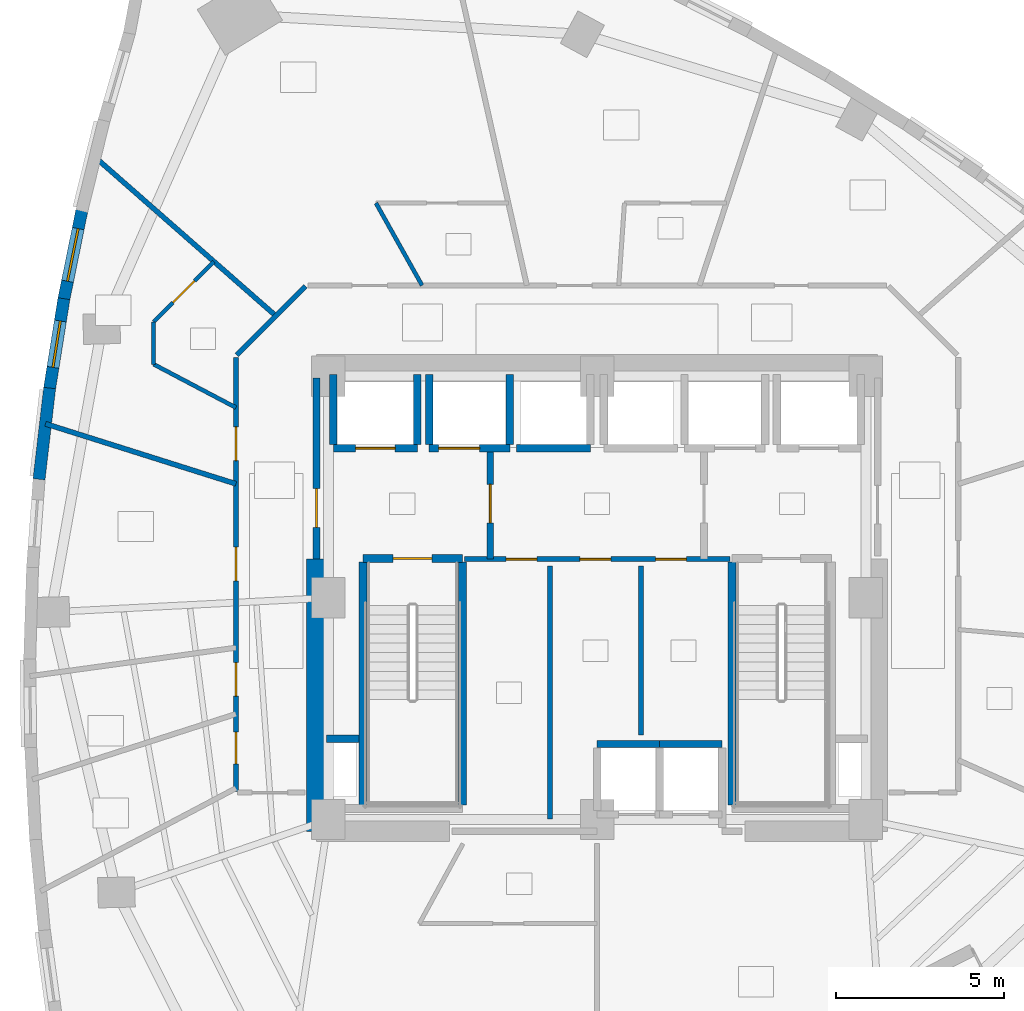
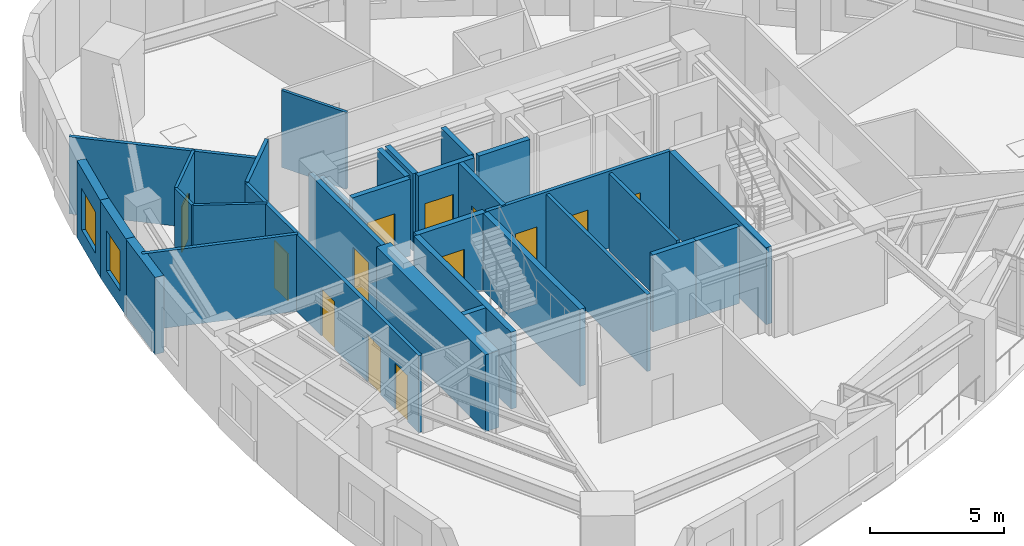
# One storey, part 6 of 11: 31 walls, 13 doors, 2 windows, 15 openings.
"""IFC4 building model written with IfcOpenShell, lengths in metres."""

from ifc_helpers import new_model, si_unit, direction, frame, frame_2d, origin, place, context, subcontext, project, spatial, rectangle, extrude, material, layer, layer_set, type_object, element, fill, save


model = new_model("IFC4")

# Units and contexts
model_context = context("Model", 3, precision=1e-05, world=origin(), true_north=direction((0.0, 1.0)))
body_context = subcontext(model_context, "Body", "Model", "MODEL_VIEW")
ifc_project = project(units=[si_unit("LENGTHUNIT", "METRE"), si_unit("AREAUNIT", "SQUARE_METRE"), si_unit("VOLUMEUNIT", "CUBIC_METRE"), si_unit("PLANEANGLEUNIT", "RADIAN"), si_unit("MASSUNIT", "GRAM", prefix="KILO")], contexts=[model_context])

# Site, building, storey
site_placement = place(None, origin())
site = spatial("IfcSite", under=ifc_project, at=site_placement, CompositionType="ELEMENT")
building_placement = place(site_placement, origin())
building = spatial("IfcBuilding", under=site, at=building_placement, Name="Ndelora Gate Hotel", CompositionType="ELEMENT")
storey_placement = place(building_placement, frame((0.0, 0.0, 116.0)))
storey = spatial("IfcBuildingStorey", under=building, at=storey_placement, Name="L28", CompositionType="ELEMENT", Elevation=116.0)

# Wall, opening, window
ifc_material_1 = material(Name="Clay Brick Masonry", Category="masonry")
ifc_layer_1 = layer(ifc_material_1, 0.360107421875)
ifc_layer_set_1 = layer_set([ifc_layer_1], Name="Clay Brick Masonry")
wall_type_1 = type_object("IfcWallType", Name="WL-BRICK-360", PredefinedType="SOLIDWALL", material=ifc_layer_set_1)
wall_1_placement = place(storey_placement, frame((-15.879638671875, 8.855224609375, 0.0), z_axis=(0.0, 0.0, 1.0), x_axis=(0.198770408376, 0.980046082975, 0.0)))
wall_1 = element("IfcWall", 1, at=wall_1_placement, inside=storey, type_object=wall_type_1, Name="L28 Tower Brick Pier-and-Spandrel Wall TWR-11", PredefinedType="SOLIDWALL", context=body_context, shape_type="SweptSolid", body=[
    extrude(rectangle(XDim=2.758544921875, YDim=0.360107421875, at=frame_2d((1.37939453125, 0.0))), origin(), (0.0, 0.0, 1.0), 3.5),
])
opening_1_placement = place(wall_1_placement, frame((0.579345703125, 0.0, 0.719970703125)))
opening_1 = element("IfcOpeningElement", 2, at=opening_1_placement, cuts=wall_1, Name="Opening W01", PredefinedType="OPENING", context=body_context, shape_type="SweptSolid", body=[
    extrude(rectangle(XDim=1.60009765625, YDim=1.8798828125, at=frame_2d((0.800048828125, 0.93994140625))), frame((0.0, 0.18994140625, 0.0), z_axis=(0.0, -1.0, 0.0), x_axis=(1.0, 0.0, 0.0)), (0.0, 0.0, 1.0), 0.380126953125),
])
ifc_material_2 = material(Name="Insulated Low-E Double Glazing in Bronze Aluminium Frame", Category="aluminium")
window_type_1 = type_object("IfcWindowType", Name="WN-DEEP-1600", PartitioningType="SINGLE_PANEL", PredefinedType="WINDOW", material=ifc_material_2)
window_1_placement = place(opening_1_placement, origin())
window_1 = element("IfcWindow", 3, at=window_1_placement, inside=storey, type_object=window_type_1, Name="L28 Deep-Set Brick-Pier Window W01", OverallHeight=1.8798828125, OverallWidth=1.60009765625, PartitioningType="SINGLE_PANEL", PredefinedType="WINDOW", context=body_context, shape_type="SweptSolid", body=[
    extrude(rectangle(XDim=1.60009765625, YDim=1.8798828125, at=frame_2d((0.800048828125, 0.93994140625))), frame((0.0, 0.030029296875, 0.0), z_axis=(0.0, -1.0, 0.0), x_axis=(1.0, 0.0, 0.0)), (0.0, 0.0, 1.0), 0.06005859375),
])
fill(opening_1, window_1)

wall_2_placement = place(storey_placement, frame((-16.302978515625, 6.19482421875, 0.0), z_axis=(0.0, 0.0, 1.0), x_axis=(0.157483842532, 0.987521563988, 0.0)))
wall_2 = element("IfcWall", 4, at=wall_2_placement, inside=storey, type_object=wall_type_1, Name="L28 Tower Brick Pier-and-Spandrel Wall TWR-12", PredefinedType="SOLIDWALL", context=body_context, shape_type="SweptSolid", body=[
    extrude(rectangle(XDim=2.743896484375, YDim=0.360107421875, at=frame_2d((1.3720703125, 0.0))), origin(), (0.0, 0.0, 1.0), 3.5),
])
opening_2_placement = place(wall_2_placement, frame((0.672119140625, 0.0, 0.719970703125)))
opening_2 = element("IfcOpeningElement", 5, at=opening_2_placement, cuts=wall_2, Name="Opening W02", PredefinedType="OPENING", context=body_context, shape_type="SweptSolid", body=[
    extrude(rectangle(XDim=1.39990234375, YDim=1.840087890625, at=frame_2d((0.699951171875, 0.919921875))), frame((0.0, 0.18994140625, 0.0), z_axis=(0.0, -1.0, 0.0), x_axis=(1.0, 0.0, 0.0)), (0.0, 0.0, 1.0), 0.380126953125),
])
window_type_2 = type_object("IfcWindowType", Name="WN-DEEP-1400", PartitioningType="SINGLE_PANEL", PredefinedType="WINDOW", material=ifc_material_2)
window_2_placement = place(opening_2_placement, origin())
window_2 = element("IfcWindow", 6, at=window_2_placement, inside=storey, type_object=window_type_2, Name="L28 Deep-Set Brick-Pier Window W02", OverallHeight=1.840087890625, OverallWidth=1.39990234375, PartitioningType="SINGLE_PANEL", PredefinedType="WINDOW", context=body_context, shape_type="SweptSolid", body=[
    extrude(rectangle(XDim=1.39990234375, YDim=1.840087890625, at=frame_2d((0.699951171875, 0.919921875))), frame((0.0, 0.030029296875, 0.0), z_axis=(0.0, -1.0, 0.0), x_axis=(1.0, 0.0, 0.0)), (0.0, 0.0, 1.0), 0.06005859375),
])
fill(opening_2, window_2)

# Walls
wall_3_placement = place(storey_placement, frame((-16.61279296875, 3.5283203125, 0.0), z_axis=(0.0, 0.0, 1.0), x_axis=(0.115711868465, 0.993282821505, 0.0)))
element("IfcWall", 7, at=wall_3_placement, inside=storey, type_object=wall_type_1, Name="L28 Tower Brick Pier-and-Spandrel Wall TWR-13", PredefinedType="SOLIDWALL", context=body_context, shape_type="SweptSolid", body=[
    extrude(rectangle(XDim=2.734375, YDim=0.360107421875, at=frame_2d((1.3671875, 0.0))), origin(), (0.0, 0.0, 1.0), 3.5),
])
ifc_material_3 = material(Name="Concrete C60/75", Category="concrete")
ifc_layer_2 = layer(ifc_material_3, 0.60009765625)
ifc_layer_set_2 = layer_set([ifc_layer_2], Name="Concrete C60/75")
wall_type_2 = type_object("IfcWallType", Name="WL-CORE-600", PredefinedType="SHEAR", material=ifc_layer_set_2)
wall_4_placement = place(storey_placement, frame((-8.35009765625, -6.949951171875, 0.0), z_axis=(0.0, 0.0, 1.0), x_axis=(0.0, 1.0, 0.0)))
element("IfcWall", 8, at=wall_4_placement, inside=storey, type_object=wall_type_2, Name="L28 Core Shear Wall W", PredefinedType="SHEAR", context=body_context, shape_type="SweptSolid", body=[
    extrude(rectangle(XDim=8.099853515625, YDim=0.60009765625, at=frame_2d((4.0498046875, 0.0))), origin(), (0.0, 0.0, 1.0), 3.5),
])

# Wall, opening, door
ifc_material_4 = material(Name="Concrete C40/50", Category="concrete")
ifc_layer_3 = layer(ifc_material_4, 0.199951171875)
ifc_layer_set_3 = layer_set([ifc_layer_3], Name="Concrete C40/50")
wall_type_3 = type_object("IfcWallType", Name="WL-FIRE-200", PredefinedType="PARTITIONING", material=ifc_layer_set_3)
wall_5_placement = place(storey_placement, frame((-3.179931640625, 1.14990234375, 0.0), z_axis=(0.0, 0.0, 1.0), x_axis=(0.0, 1.0, 0.0)))
wall_5 = element("IfcWall", 9, at=wall_5_placement, inside=storey, type_object=wall_type_3, Name="L28 Interior Wall IW-2", PredefinedType="PARTITIONING", context=body_context, shape_type="SweptSolid", body=[
    extrude(rectangle(XDim=3.300048828125, YDim=0.199951171875, at=frame_2d((1.64990234375, 0.0))), origin(), (0.0, 0.0, 1.0), 3.5),
])
opening_3_placement = place(wall_5_placement, frame((1.080078125, 0.0, 0.0)))
opening_3 = element("IfcOpeningElement", 10, at=opening_3_placement, cuts=wall_5, Name="Opening FD1", PredefinedType="OPENING", context=body_context, shape_type="SweptSolid", body=[
    extrude(rectangle(XDim=1.14990234375, YDim=2.14990234375, at=frame_2d((0.574951171875, 1.074951171875))), frame((0.0, 0.10986328125, 0.0), z_axis=(0.0, -1.0, 0.0), x_axis=(1.0, 0.0, 0.0)), (0.0, 0.0, 1.0), 0.219970703125),
])
ifc_material_5 = material(Name="Fire-Rated Timber-Veneer Steel Core", Category="steel")
door_type_1 = type_object("IfcDoorType", Name="DR-FD60", OperationType="SINGLE_SWING_LEFT", PredefinedType="DOOR", material=ifc_material_5)
door_1_placement = place(opening_3_placement, origin())
door_1 = element("IfcDoor", 11, at=door_1_placement, inside=storey, type_object=door_type_1, Name="L28 Firefighting Lobby West Door", OperationType="SINGLE_SWING_RIGHT", OverallHeight=2.14990234375, OverallWidth=1.14990234375, PredefinedType="DOOR", context=body_context, shape_type="SweptSolid", body=[
    extrude(rectangle(XDim=1.14990234375, YDim=2.14990234375, at=frame_2d((0.574951171875, 1.074951171875))), frame((0.0, 0.02490234375, 0.0), z_axis=(0.0, -1.0, 0.0), x_axis=(1.0, 0.0, 0.0)), (0.0, 0.0, 1.0), 0.050048828125),
])
fill(opening_3, door_1)

wall_6_placement = place(storey_placement, frame((-8.35009765625, 1.14990234375, 0.0), z_axis=(0.0, 0.0, 1.0), x_axis=(0.0, 1.0, 0.0)))
wall_6 = element("IfcWall", 12, at=wall_6_placement, inside=storey, type_object=wall_type_3, Name="L28 Interior Wall IW-2", PredefinedType="PARTITIONING", context=body_context, shape_type="SweptSolid", body=[
    extrude(rectangle(XDim=5.400146484375, YDim=0.199951171875, at=frame_2d((2.7001953125, 0.0))), origin(), (0.0, 0.0, 1.0), 3.5),
])
opening_4_placement = place(wall_6_placement, frame((0.949951171875, 0.0, 0.0)))
opening_4 = element("IfcOpeningElement", 13, at=opening_4_placement, cuts=wall_6, Name="Opening FD1", PredefinedType="OPENING", context=body_context, shape_type="SweptSolid", body=[
    extrude(rectangle(XDim=1.14990234375, YDim=2.14990234375, at=frame_2d((0.574951171875, 1.074951171875))), frame((0.0, 0.10986328125, 0.0), z_axis=(0.0, -1.0, 0.0), x_axis=(1.0, 0.0, 0.0)), (0.0, 0.0, 1.0), 0.219970703125),
])
door_2_placement = place(opening_4_placement, origin())
door_2 = element("IfcDoor", 14, at=door_2_placement, inside=storey, type_object=door_type_1, Name="L28 Firefighting Lobby West Corridor Door", OperationType="SINGLE_SWING_LEFT", OverallHeight=2.14990234375, OverallWidth=1.14990234375, PredefinedType="DOOR", context=body_context, shape_type="SweptSolid", body=[
    extrude(rectangle(XDim=1.14990234375, YDim=2.14990234375, at=frame_2d((0.574951171875, 1.074951171875))), frame((0.0, 0.02490234375, 0.0), z_axis=(0.0, -1.0, 0.0), x_axis=(1.0, 0.0, 0.0)), (0.0, 0.0, 1.0), 0.050048828125),
])
fill(opening_4, door_2)

# Wall, openings, doors
ifc_material_6 = material(Name="Fire-Rated Gypsum Stud Partition", Category="gypsum")
ifc_layer_4 = layer(ifc_material_6, 0.14990234375)
ifc_layer_set_4 = layer_set([ifc_layer_4], Name="Fire-Rated Gypsum Stud Partition")
wall_type_4 = type_object("IfcWallType", Name="WL-PART-150", PredefinedType="PARTITIONING", material=ifc_layer_set_4)
wall_7_placement = place(storey_placement, frame((3.949951171875, 1.14990234375, 0.0), z_axis=(0.0, 0.0, 1.0), x_axis=(-1.0, 0.0, 0.0)))
wall_7 = element("IfcWall", 15, at=wall_7_placement, inside=storey, type_object=wall_type_4, Name="L28 Interior Wall IW-5", PredefinedType="PARTITIONING", context=body_context, shape_type="SweptSolid", body=[
    extrude(rectangle(XDim=7.89990234375, YDim=0.14990234375, at=frame_2d((3.949951171875, 0.0))), origin(), (0.0, 0.0, 1.0), 3.5),
])
opening_5_placement = place(wall_7_placement, frame((5.739990234375, 0.0, 0.0)))
opening_5 = element("IfcOpeningElement", 16, at=opening_5_placement, cuts=wall_7, Name="Opening D04", PredefinedType="OPENING", context=body_context, shape_type="SweptSolid", body=[
    extrude(rectangle(XDim=0.919921875, YDim=2.050048828125, at=frame_2d((0.4599609375, 1.02490234375))), frame((0.0, 0.0849609375, 0.0), z_axis=(0.0, -1.0, 0.0), x_axis=(1.0, 0.0, 0.0)), (0.0, 0.0, 1.0), 0.169921875),
])
opening_6_placement = place(wall_7_placement, frame((3.5400390625, 0.0, 0.0)))
opening_6 = element("IfcOpeningElement", 17, at=opening_6_placement, cuts=wall_7, Name="Opening D04", PredefinedType="OPENING", context=body_context, shape_type="SweptSolid", body=[
    extrude(rectangle(XDim=0.919921875, YDim=2.050048828125, at=frame_2d((0.4599609375, 1.02490234375))), frame((0.0, 0.0849609375, 0.0), z_axis=(0.0, -1.0, 0.0), x_axis=(1.0, 0.0, 0.0)), (0.0, 0.0, 1.0), 0.169921875),
])
opening_7_placement = place(wall_7_placement, frame((1.2900390625, 0.0, 0.0)))
opening_7 = element("IfcOpeningElement", 18, at=opening_7_placement, cuts=wall_7, Name="Opening D04", PredefinedType="OPENING", context=body_context, shape_type="SweptSolid", body=[
    extrude(rectangle(XDim=0.919921875, YDim=2.050048828125, at=frame_2d((0.4599609375, 1.02490234375))), frame((0.0, 0.0849609375, 0.0), z_axis=(0.0, -1.0, 0.0), x_axis=(1.0, 0.0, 0.0)), (0.0, 0.0, 1.0), 0.169921875),
])
ifc_material_7 = material(Name="Painted Steel Core Service Door", Category="steel")
door_type_2 = type_object("IfcDoorType", Name="DR-SER-920", OperationType="SINGLE_SWING_LEFT", PredefinedType="DOOR", material=ifc_material_7)
door_3_placement = place(opening_5_placement, origin())
door_3 = element("IfcDoor", 19, at=door_3_placement, inside=storey, type_object=door_type_2, Name="L28 Core Cleaners Store Door", OperationType="SINGLE_SWING_LEFT", OverallHeight=2.050048828125, OverallWidth=0.919921875, PredefinedType="DOOR", context=body_context, shape_type="SweptSolid", body=[
    extrude(rectangle(XDim=0.919921875, YDim=2.050048828125, at=frame_2d((0.4599609375, 1.02490234375))), frame((0.0, 0.02490234375, 0.0), z_axis=(0.0, -1.0, 0.0), x_axis=(1.0, 0.0, 0.0)), (0.0, 0.0, 1.0), 0.050048828125),
])
fill(opening_5, door_3)
door_4_placement = place(opening_6_placement, origin())
door_4 = element("IfcDoor", 20, at=door_4_placement, inside=storey, type_object=door_type_2, Name="L28 Core Telecoms Equipment Room Door", OperationType="SINGLE_SWING_RIGHT", OverallHeight=2.050048828125, OverallWidth=0.919921875, PredefinedType="DOOR", context=body_context, shape_type="SweptSolid", body=[
    extrude(rectangle(XDim=0.919921875, YDim=2.050048828125, at=frame_2d((0.4599609375, 1.02490234375))), frame((0.0, 0.02490234375, 0.0), z_axis=(0.0, -1.0, 0.0), x_axis=(1.0, 0.0, 0.0)), (0.0, 0.0, 1.0), 0.050048828125),
])
fill(opening_6, door_4)
door_5_placement = place(opening_7_placement, origin())
door_5 = element("IfcDoor", 21, at=door_5_placement, inside=storey, type_object=door_type_2, Name="L28 Core Electrical Metering Room Door", OperationType="SINGLE_SWING_LEFT", OverallHeight=2.050048828125, OverallWidth=0.919921875, PredefinedType="DOOR", context=body_context, shape_type="SweptSolid", body=[
    extrude(rectangle(XDim=0.919921875, YDim=2.050048828125, at=frame_2d((0.4599609375, 1.02490234375))), frame((0.0, 0.02490234375, 0.0), z_axis=(0.0, -1.0, 0.0), x_axis=(1.0, 0.0, 0.0)), (0.0, 0.0, 1.0), 0.050048828125),
])
fill(opening_7, door_5)

# Walls
wall_8_placement = place(storey_placement, frame((-1.39990234375, -6.580078125, 0.0), z_axis=(0.0, 0.0, 1.0), x_axis=(0.0, 1.0, 0.0)))
element("IfcWall", 22, at=wall_8_placement, inside=storey, type_object=wall_type_4, Name="L28 Interior Wall IW-5", PredefinedType="PARTITIONING", context=body_context, shape_type="SweptSolid", body=[
    extrude(rectangle(XDim=7.530029296875, YDim=0.14990234375, at=frame_2d((3.76513671875, 0.0))), origin(), (0.0, 0.0, 1.0), 3.5),
])
wall_9_placement = place(storey_placement, frame((1.300048828125, -4.080078125, 0.0), z_axis=(0.0, 0.0, 1.0), x_axis=(0.0, 1.0, 0.0)))
element("IfcWall", 23, at=wall_9_placement, inside=storey, type_object=wall_type_4, Name="L28 Interior Wall IW-5", PredefinedType="PARTITIONING", context=body_context, shape_type="SweptSolid", body=[
    extrude(rectangle(XDim=5.030029296875, YDim=0.14990234375, at=frame_2d((2.51513671875, 0.0))), origin(), (0.0, 0.0, 1.0), 3.5),
])
wall_10_placement = place(storey_placement, frame((-10.7216796875, 7.228271484375, 0.0), z_axis=(0.0, 0.0, 1.0), x_axis=(0.707106781187, 0.707106781187, 0.0)))
element("IfcWall", 24, at=wall_10_placement, inside=storey, type_object=wall_type_4, Name="L28 Interior Wall IW-5", PredefinedType="PARTITIONING", context=body_context, shape_type="SweptSolid", body=[
    extrude(rectangle(XDim=2.889892578125, YDim=0.14990234375, at=frame_2d((1.44482421875, 0.0))), origin(), (0.0, 0.0, 1.0), 3.5),
])

# Wall, openings, doors
wall_11_placement = place(storey_placement, frame((-10.75, -5.760009765625, 0.0), z_axis=(0.0, 0.0, 1.0), x_axis=(0.0, 1.0, 0.0)))
wall_11 = element("IfcWall", 25, at=wall_11_placement, inside=storey, type_object=wall_type_4, Name="L28 Interior Wall IW-5", PredefinedType="PARTITIONING", context=body_context, shape_type="SweptSolid", body=[
    extrude(rectangle(XDim=12.919921875, YDim=0.14990234375, at=frame_2d((6.4599609375, 0.0))), origin(), (0.0, 0.0, 1.0), 3.5),
])
opening_8_placement = place(wall_11_placement, frame((2.834716796875, 0.0, 0.0)))
opening_8 = element("IfcOpeningElement", 26, at=opening_8_placement, cuts=wall_11, Name="Opening D01", PredefinedType="OPENING", context=body_context, shape_type="SweptSolid", body=[
    extrude(rectangle(XDim=1.0, YDim=2.14990234375, at=frame_2d((0.5, 1.074951171875))), frame((0.0, 0.0849609375, 0.0), z_axis=(0.0, -1.0, 0.0), x_axis=(1.0, 0.0, 0.0)), (0.0, 0.0, 1.0), 0.169921875),
])
opening_9_placement = place(wall_11_placement, frame((0.81591796875, 0.0, 0.0)))
opening_9 = element("IfcOpeningElement", 27, at=opening_9_placement, cuts=wall_11, Name="Opening D05", PredefinedType="OPENING", context=body_context, shape_type="SweptSolid", body=[
    extrude(rectangle(XDim=0.949951171875, YDim=2.10009765625, at=frame_2d((0.47509765625, 1.050048828125))), frame((0.0, 0.0849609375, 0.0), z_axis=(0.0, -1.0, 0.0), x_axis=(1.0, 0.0, 0.0)), (0.0, 0.0, 1.0), 0.169921875),
])
opening_10_placement = place(wall_11_placement, frame((9.8466796875, 0.0, 0.0)))
opening_10 = element("IfcOpeningElement", 28, at=opening_10_placement, cuts=wall_11, Name="Opening D01", PredefinedType="OPENING", context=body_context, shape_type="SweptSolid", body=[
    extrude(rectangle(XDim=1.0, YDim=2.14990234375, at=frame_2d((0.5, 1.074951171875))), frame((0.0, 0.0849609375, 0.0), z_axis=(0.0, -1.0, 0.0), x_axis=(1.0, 0.0, 0.0)), (0.0, 0.0, 1.0), 0.169921875),
])
opening_11_placement = place(wall_11_placement, frame((6.266845703125, 0.0, 0.0)))
opening_11 = element("IfcOpeningElement", 29, at=opening_11_placement, cuts=wall_11, Name="Opening D01", PredefinedType="OPENING", context=body_context, shape_type="SweptSolid", body=[
    extrude(rectangle(XDim=1.0, YDim=2.14990234375, at=frame_2d((0.5, 1.074951171875))), frame((0.0, 0.0849609375, 0.0), z_axis=(0.0, -1.0, 0.0), x_axis=(1.0, 0.0, 0.0)), (0.0, 0.0, 1.0), 0.169921875),
])
ifc_material_8 = material(Name="Accessible Restroom Wide-Clearance Door", Category="wood")
door_type_3 = type_object("IfcDoorType", Name="DR-ACC-950", OperationType="SINGLE_SWING_LEFT", PredefinedType="DOOR", material=ifc_material_8)
door_6_placement = place(opening_9_placement, origin())
door_6 = element("IfcDoor", 30, at=door_6_placement, inside=storey, type_object=door_type_3, Name="L28 Accessible WC Entrance Door", OperationType="SINGLE_SWING_LEFT", OverallHeight=2.10009765625, OverallWidth=0.949951171875, PredefinedType="DOOR", context=body_context, shape_type="SweptSolid", body=[
    extrude(rectangle(XDim=0.949951171875, YDim=2.10009765625, at=frame_2d((0.47509765625, 1.050048828125))), frame((0.0, 0.02490234375, 0.0), z_axis=(0.0, -1.0, 0.0), x_axis=(1.0, 0.0, 0.0)), (0.0, 0.0, 1.0), 0.050048828125),
])
fill(opening_9, door_6)
ifc_material_9 = material(Name="Acoustic Hardwood Guest Entrance Door", Category="wood")
door_type_4 = type_object("IfcDoorType", Name="DR-COR-1000", OperationType="SINGLE_SWING_LEFT", PredefinedType="DOOR", material=ifc_material_9)
door_7_placement = place(opening_8_placement, origin())
door_7 = element("IfcDoor", 31, at=door_7_placement, inside=storey, type_object=door_type_4, Name="L28 Housekeeping and Linen Room Entrance Door", OperationType="SINGLE_SWING_RIGHT", OverallHeight=2.14990234375, OverallWidth=1.0, PredefinedType="DOOR", context=body_context, shape_type="SweptSolid", body=[
    extrude(rectangle(XDim=1.0, YDim=2.14990234375, at=frame_2d((0.5, 1.074951171875))), frame((0.0, 0.02490234375, 0.0), z_axis=(0.0, -1.0, 0.0), x_axis=(1.0, 0.0, 0.0)), (0.0, 0.0, 1.0), 0.050048828125),
])
fill(opening_8, door_7)
door_8_placement = place(opening_10_placement, origin())
door_8 = element("IfcDoor", 32, at=door_8_placement, inside=storey, type_object=door_type_4, Name="L28 Club Twin Guest Room 3105 Entrance Door", OperationType="SINGLE_SWING_RIGHT", OverallHeight=2.14990234375, OverallWidth=1.0, PredefinedType="DOOR", context=body_context, shape_type="SweptSolid", body=[
    extrude(rectangle(XDim=1.0, YDim=2.14990234375, at=frame_2d((0.5, 1.074951171875))), frame((0.0, 0.02490234375, 0.0), z_axis=(0.0, -1.0, 0.0), x_axis=(1.0, 0.0, 0.0)), (0.0, 0.0, 1.0), 0.050048828125),
])
fill(opening_10, door_8)
door_9_placement = place(opening_11_placement, origin())
door_9 = element("IfcDoor", 33, at=door_9_placement, inside=storey, type_object=door_type_4, Name="L28 Club Study Office Entrance Door", OperationType="SINGLE_SWING_LEFT", OverallHeight=2.14990234375, OverallWidth=1.0, PredefinedType="DOOR", context=body_context, shape_type="SweptSolid", body=[
    extrude(rectangle(XDim=1.0, YDim=2.14990234375, at=frame_2d((0.5, 1.074951171875))), frame((0.0, 0.02490234375, 0.0), z_axis=(0.0, -1.0, 0.0), x_axis=(1.0, 0.0, 0.0)), (0.0, 0.0, 1.0), 0.050048828125),
])
fill(opening_11, door_9)

# Walls
wall_12_placement = place(storey_placement, frame((-9.5595703125, 8.390380859375, 0.0), z_axis=(0.0, 0.0, 1.0), x_axis=(-0.751546074468, 0.659680602983, 0.0)))
element("IfcWall", 34, at=wall_12_placement, inside=storey, type_object=wall_type_4, Name="L28 Interior Wall IW-5", PredefinedType="PARTITIONING", context=body_context, shape_type="SweptSolid", body=[
    extrude(rectangle(XDim=7.16748046875, YDim=0.14990234375, at=frame_2d((3.583740234375, 0.0))), origin(), (0.0, 0.0, 1.0), 3.5),
])
wall_13_placement = place(storey_placement, frame((-10.75, 3.39208984375, 0.0), z_axis=(0.0, 0.0, 1.0), x_axis=(-0.953655865199, 0.300899469545, 0.0)))
element("IfcWall", 35, at=wall_13_placement, inside=storey, type_object=wall_type_4, Name="L28 Interior Wall IW-5", PredefinedType="PARTITIONING", context=body_context, shape_type="SweptSolid", body=[
    extrude(rectangle(XDim=5.94580078125, YDim=0.14990234375, at=frame_2d((2.972900390625, 0.0))), origin(), (0.0, 0.0, 1.0), 3.5),
])
ifc_layer_5 = layer(ifc_material_4, 0.219970703125)
ifc_layer_set_5 = layer_set([ifc_layer_5], Name="Concrete C40/50")
wall_type_5 = type_object("IfcWallType", Name="WL-SHAFT-220", PredefinedType="PARTITIONING", material=ifc_layer_set_5)
wall_14_placement = place(storey_placement, frame((-8.050048828125, -4.199951171875, 0.0), z_axis=(0.0, 0.0, 1.0), x_axis=(1.0, 0.0, 0.0)))
element("IfcWall", 36, at=wall_14_placement, inside=storey, type_object=wall_type_5, Name="L28 Interior Wall IW-1", PredefinedType="PARTITIONING", context=body_context, shape_type="SweptSolid", body=[
    extrude(rectangle(XDim=0.9599609375, YDim=0.219970703125, at=frame_2d((0.47998046875, 0.0))), origin(), (0.0, 0.0, 1.0), 3.5),
])

# Wall, opening, door
wall_15_placement = place(storey_placement, frame((-7.85009765625, 4.449951171875, 0.0), z_axis=(0.0, 0.0, 1.0), x_axis=(1.0, 0.0, 0.0)))
wall_15 = element("IfcWall", 37, at=wall_15_placement, inside=storey, type_object=wall_type_5, Name="L28 Interior Wall IW-1", PredefinedType="PARTITIONING", context=body_context, shape_type="SweptSolid", body=[
    extrude(rectangle(XDim=2.5, YDim=0.219970703125, at=frame_2d((1.25, 0.0))), origin(), (0.0, 0.0, 1.0), 3.5),
])
opening_12_placement = place(wall_15_placement, frame((0.659912109375, 0.0, 0.0)))
opening_12 = element("IfcOpeningElement", 38, at=opening_12_placement, cuts=wall_15, Name="Opening LD5", PredefinedType="OPENING", context=body_context, shape_type="SweptSolid", body=[
    extrude(rectangle(XDim=1.179931640625, YDim=2.14990234375, at=frame_2d((0.58984375, 1.074951171875))), frame((0.0, 0.1201171875, 0.0), z_axis=(0.0, -1.0, 0.0), x_axis=(1.0, 0.0, 0.0)), (0.0, 0.0, 1.0), 0.239990234375),
])
ifc_material_10 = material(Name="Firefighting Lift Stainless Sliding Landing Door", Category="metal")
door_type_5 = type_object("IfcDoorType", Name="DR-LD5", OperationType="DOUBLE_DOOR_SLIDING", PredefinedType="DOOR", material=ifc_material_10)
door_10_placement = place(opening_12_placement, origin())
door_10 = element("IfcDoor", 39, at=door_10_placement, inside=storey, type_object=door_type_5, Name="L28 Lift Landing Sliding Door FFL1", OperationType="DOUBLE_DOOR_SLIDING", OverallHeight=2.14990234375, OverallWidth=1.179931640625, PredefinedType="DOOR", context=body_context, shape_type="SweptSolid", body=[
    extrude(rectangle(XDim=1.179931640625, YDim=2.14990234375, at=frame_2d((0.58984375, 1.074951171875))), frame((0.0, 0.02490234375, 0.0), z_axis=(0.0, -1.0, 0.0), x_axis=(1.0, 0.0, 0.0)), (0.0, 0.0, 1.0), 0.050048828125),
])
fill(opening_12, door_10)

# Walls
wall_16_placement = place(storey_placement, frame((-7.85009765625, 4.570068359375, 0.0), z_axis=(0.0, 0.0, 1.0), x_axis=(0.0, 1.0, 0.0)))
element("IfcWall", 40, at=wall_16_placement, inside=storey, type_object=wall_type_5, Name="L28 Interior Wall IW-1", PredefinedType="PARTITIONING", context=body_context, shape_type="SweptSolid", body=[
    extrude(rectangle(XDim=2.079833984375, YDim=0.219970703125, at=frame_2d((1.0400390625, 0.0))), origin(), (0.0, 0.0, 1.0), 3.1201171875),
])
wall_17_placement = place(storey_placement, frame((-5.35009765625, 4.570068359375, 0.0), z_axis=(0.0, 0.0, 1.0), x_axis=(0.0, 1.0, 0.0)))
element("IfcWall", 41, at=wall_17_placement, inside=storey, type_object=wall_type_5, Name="L28 Interior Wall IW-1", PredefinedType="PARTITIONING", context=body_context, shape_type="SweptSolid", body=[
    extrude(rectangle(XDim=2.079833984375, YDim=0.219970703125, at=frame_2d((1.0400390625, 0.0))), origin(), (0.0, 0.0, 1.0), 3.5),
])

# Wall, opening, door
wall_18_placement = place(storey_placement, frame((-5.0, 4.449951171875, 0.0), z_axis=(0.0, 0.0, 1.0), x_axis=(1.0, 0.0, 0.0)))
wall_18 = element("IfcWall", 42, at=wall_18_placement, inside=storey, type_object=wall_type_5, Name="L28 Interior Wall IW-1", PredefinedType="PARTITIONING", context=body_context, shape_type="SweptSolid", body=[
    extrude(rectangle(XDim=2.39990234375, YDim=0.219970703125, at=frame_2d((1.199951171875, 0.0))), origin(), (0.0, 0.0, 1.0), 3.5),
])
opening_13_placement = place(wall_18_placement, frame((0.280029296875, 0.0, 0.0)))
opening_13 = element("IfcOpeningElement", 43, at=opening_13_placement, cuts=wall_18, Name="Opening LD6", PredefinedType="OPENING", context=body_context, shape_type="SweptSolid", body=[
    extrude(rectangle(XDim=1.219970703125, YDim=2.14990234375, at=frame_2d((0.60986328125, 1.074951171875))), frame((0.0, 0.1201171875, 0.0), z_axis=(0.0, -1.0, 0.0), x_axis=(1.0, 0.0, 0.0)), (0.0, 0.0, 1.0), 0.239990234375),
])
ifc_material_11 = material(Name="Heavy-Duty Service Lift Sliding Landing Door", Category="wood")
door_type_6 = type_object("IfcDoorType", Name="DR-LD6", OperationType="DOUBLE_DOOR_SLIDING", PredefinedType="DOOR", material=ifc_material_11)
door_11_placement = place(opening_13_placement, origin())
door_11 = element("IfcDoor", 44, at=door_11_placement, inside=storey, type_object=door_type_6, Name="L28 Lift Landing Sliding Door SVL1", OperationType="DOUBLE_DOOR_SLIDING", OverallHeight=2.14990234375, OverallWidth=1.219970703125, PredefinedType="DOOR", context=body_context, shape_type="SweptSolid", body=[
    extrude(rectangle(XDim=1.219970703125, YDim=2.14990234375, at=frame_2d((0.60986328125, 1.074951171875))), frame((0.0, 0.02490234375, 0.0), z_axis=(0.0, -1.0, 0.0), x_axis=(1.0, 0.0, 0.0)), (0.0, 0.0, 1.0), 0.050048828125),
])
fill(opening_13, door_11)

# Walls
for number, where, z_axis, x_axis, name in (
    (45, (-5.0, 4.570068359375, 0.0), (0.0, 0.0, 1.0), (0.0, 1.0, 0.0), "L28 Interior Wall IW-1"),
    (46, (-2.60009765625, 4.570068359375, 0.0), (0.0, 0.0, 1.0), (0.0, 1.0, 0.0), "L28 Interior Wall IW-1"),
):
    element("IfcWall", number, at=place(storey_placement, frame(where, z_axis=z_axis, x_axis=x_axis)), inside=storey, type_object=wall_type_5, Name=name, PredefinedType="PARTITIONING", context=body_context, shape_type="SweptSolid", body=[
        extrude(rectangle(XDim=2.079833984375, YDim=0.219970703125, at=frame_2d((1.0400390625, 0.0))), origin(), (0.0, 0.0, 1.0), 3.5),
    ])
wall_19_placement = place(storey_placement, frame((0.0, -4.35009765625, 0.0), z_axis=(0.0, 0.0, 1.0), x_axis=(1.0, 0.0, 0.0)))
element("IfcWall", 47, at=wall_19_placement, inside=storey, type_object=wall_type_5, Name="L28 Interior Wall IW-1", PredefinedType="PARTITIONING", context=body_context, shape_type="SweptSolid", body=[
    extrude(rectangle(XDim=1.860107421875, YDim=0.219970703125, at=frame_2d((0.93017578125, 0.0))), origin(), (0.0, 0.0, 1.0), 3.5),
])
wall_20_placement = place(storey_placement, frame((1.860107421875, -4.35009765625, 0.0), z_axis=(0.0, 0.0, 1.0), x_axis=(1.0, 0.0, 0.0)))
element("IfcWall", 48, at=wall_20_placement, inside=storey, type_object=wall_type_5, Name="L28 Interior Wall IW-1", PredefinedType="PARTITIONING", context=body_context, shape_type="SweptSolid", body=[
    extrude(rectangle(XDim=1.85986328125, YDim=0.219970703125, at=frame_2d((0.929931640625, 0.0))), origin(), (0.0, 0.0, 1.0), 3.5),
])
wall_21_placement = place(storey_placement, frame((-2.39990234375, 4.449951171875, 0.0), z_axis=(0.0, 0.0, 1.0), x_axis=(1.0, 0.0, 0.0)))
element("IfcWall", 49, at=wall_21_placement, inside=storey, type_object=wall_type_5, Name="L28 Interior Wall IW-1", PredefinedType="PARTITIONING", context=body_context, shape_type="SweptSolid", body=[
    extrude(rectangle(XDim=2.199951171875, YDim=0.219970703125, at=frame_2d((1.10009765625, 0.0))), origin(), (0.0, 0.0, 1.0), 3.5),
])
ifc_material_12 = material(Name="Concrete C50/60", Category="concrete")
ifc_layer_6 = layer(ifc_material_12, 0.239990234375)
ifc_layer_set_6 = layer_set([ifc_layer_6], Name="Concrete C50/60")
wall_type_6 = type_object("IfcWallType", Name="WL-STAIR-240", PredefinedType="SHEAR", material=ifc_layer_set_6)
for number, where, z_axis, x_axis, name in (
    (50, (-6.969970703125, -6.159912109375, 0.0), (0.0, 0.0, 1.0), (0.0, 1.0, 0.0), "L28 Stair Core Shear Wall SW-ST"),
    (51, (-4.010009765625, -6.159912109375, 0.0), (0.0, 0.0, 1.0), (0.0, 1.0, 0.0), "L28 Stair Core Shear Wall SW-ST"),
):
    element("IfcWall", number, at=place(storey_placement, frame(where, z_axis=z_axis, x_axis=x_axis)), inside=storey, type_object=wall_type_6, Name=name, PredefinedType="SHEAR", context=body_context, shape_type="SweptSolid", body=[
        extrude(rectangle(XDim=7.219970703125, YDim=0.239990234375, at=frame_2d((3.60986328125, 0.0))), origin(), (0.0, 0.0, 1.0), 3.5),
    ])

# Wall, opening, door
wall_22_placement = place(storey_placement, frame((-6.969970703125, 1.169921875, 0.0), z_axis=(0.0, 0.0, 1.0), x_axis=(1.0, 0.0, 0.0)))
wall_22 = element("IfcWall", 52, at=wall_22_placement, inside=storey, type_object=wall_type_6, Name="L28 Stair Core Shear Wall SW-ST", PredefinedType="SHEAR", context=body_context, shape_type="SweptSolid", body=[
    extrude(rectangle(XDim=2.9599609375, YDim=0.239990234375, at=frame_2d((1.47998046875, 0.0))), origin(), (0.0, 0.0, 1.0), 3.5),
])
opening_14_placement = place(wall_22_placement, frame((0.89990234375, 0.0, 0.0)))
opening_14 = element("IfcOpeningElement", 53, at=opening_14_placement, cuts=wall_22, Name="Opening FD1", PredefinedType="OPENING", context=body_context, shape_type="SweptSolid", body=[
    extrude(rectangle(XDim=1.14990234375, YDim=2.14990234375, at=frame_2d((0.574951171875, 1.074951171875))), frame((0.0, 0.1298828125, 0.0), z_axis=(0.0, -1.0, 0.0), x_axis=(1.0, 0.0, 0.0)), (0.0, 0.0, 1.0), 0.260009765625),
])
door_12_placement = place(opening_14_placement, origin())
door_12 = element("IfcDoor", 54, at=door_12_placement, inside=storey, type_object=door_type_1, Name="L28 Exit Stair ST4 Door", OperationType="SINGLE_SWING_LEFT", OverallHeight=2.14990234375, OverallWidth=1.14990234375, PredefinedType="DOOR", context=body_context, shape_type="SweptSolid", body=[
    extrude(rectangle(XDim=1.14990234375, YDim=2.14990234375, at=frame_2d((0.574951171875, 1.074951171875))), frame((0.0, 0.02490234375, 0.0), z_axis=(0.0, -1.0, 0.0), x_axis=(1.0, 0.0, 0.0)), (0.0, 0.0, 1.0), 0.050048828125),
])
fill(opening_14, door_12)

# Walls
wall_23_placement = place(storey_placement, frame((4.010009765625, -6.159912109375, 0.0), z_axis=(0.0, 0.0, 1.0), x_axis=(0.0, 1.0, 0.0)))
element("IfcWall", 55, at=wall_23_placement, inside=storey, type_object=wall_type_6, Name="L28 Stair Core Shear Wall SW-ST", PredefinedType="SHEAR", context=body_context, shape_type="SweptSolid", body=[
    extrude(rectangle(XDim=7.219970703125, YDim=0.239990234375, at=frame_2d((3.60986328125, 0.0))), origin(), (0.0, 0.0, 1.0), 3.5),
])
ifc_material_13 = material(Name="Moisture-Resistant Bathroom Tile Partition", Category="gypsum")
ifc_layer_7 = layer(ifc_material_13, 0.1201171875)
ifc_layer_set_7 = layer_set([ifc_layer_7], Name="Moisture-Resistant Bathroom Tile Partition")
wall_type_7 = type_object("IfcWallType", Name="WL-WET-120", PredefinedType="PARTITIONING", material=ifc_layer_set_7)
wall_24_placement = place(storey_placement, frame((-5.210205078125, 9.300048828125, 0.0), z_axis=(0.0, 0.0, 1.0), x_axis=(-0.488696025712, 0.87245412169, 0.0)))
element("IfcWall", 56, at=wall_24_placement, inside=storey, type_object=wall_type_7, Name="L28 Interior Wall IW-7", PredefinedType="PARTITIONING", context=body_context, shape_type="SweptSolid", body=[
    extrude(rectangle(XDim=2.80810546875, YDim=0.1201171875, at=frame_2d((1.404052734375, 0.0))), origin(), (0.0, 0.0, 1.0), 3.5),
])
wall_25_placement = place(storey_placement, frame((-13.199951171875, 6.951904296875, 0.0), z_axis=(0.0, 0.0, 1.0), x_axis=(0.884793871957, -0.465982622152, 0.0)))
element("IfcWall", 57, at=wall_25_placement, inside=storey, type_object=wall_type_7, Name="L28 Interior Wall IW-7", PredefinedType="PARTITIONING", context=body_context, shape_type="SweptSolid", body=[
    extrude(rectangle(XDim=2.76904296875, YDim=0.1201171875, at=frame_2d((1.384521484375, 0.0))), origin(), (0.0, 0.0, 1.0), 3.5),
])
wall_26_placement = place(storey_placement, frame((-13.199951171875, 6.951904296875, 0.0), z_axis=(0.0, 0.0, 1.0), x_axis=(0.0, 1.0, 0.0)))
element("IfcWall", 58, at=wall_26_placement, inside=storey, type_object=wall_type_7, Name="L28 Interior Wall IW-7", PredefinedType="PARTITIONING", context=body_context, shape_type="SweptSolid", body=[
    extrude(rectangle(XDim=1.262939453125, YDim=0.1201171875, at=frame_2d((0.63134765625, 0.0))), origin(), (0.0, 0.0, 1.0), 3.5),
])

# Wall, opening, door
wall_27_placement = place(storey_placement, frame((-13.199951171875, 8.21484375, 0.0), z_axis=(0.0, 0.0, 1.0), x_axis=(0.707106781187, 0.707106781187, 0.0)))
wall_27 = element("IfcWall", 59, at=wall_27_placement, inside=storey, type_object=wall_type_7, Name="L28 Interior Wall IW-7", PredefinedType="PARTITIONING", context=body_context, shape_type="SweptSolid", body=[
    extrude(rectangle(XDim=2.538818359375, YDim=0.1201171875, at=frame_2d((1.26953125, 0.0))), origin(), (0.0, 0.0, 1.0), 3.5),
])
opening_15_placement = place(wall_27_placement, frame((0.8095703125, 0.0, 0.0)))
opening_15 = element("IfcOpeningElement", 60, at=opening_15_placement, cuts=wall_27, Name="Opening D03", PredefinedType="OPENING", context=body_context, shape_type="SweptSolid", body=[
    extrude(rectangle(XDim=0.919921875, YDim=2.10009765625, at=frame_2d((0.4599609375, 1.050048828125))), frame((0.0, 0.070068359375, 0.0), z_axis=(0.0, -1.0, 0.0), x_axis=(1.0, 0.0, 0.0)), (0.0, 0.0, 1.0), 0.14013671875),
])
ifc_material_14 = material(Name="Moisture-Resistant Hardwood En-Suite Door", Category="wood")
door_type_7 = type_object("IfcDoorType", Name="DR-BATH-920", OperationType="SINGLE_SWING_LEFT", PredefinedType="DOOR", material=ifc_material_14)
door_13_placement = place(opening_15_placement, origin())
door_13 = element("IfcDoor", 61, at=door_13_placement, inside=storey, type_object=door_type_7, Name="L28 En-suite Bathroom 3105 Door", OperationType="SINGLE_SWING_RIGHT", OverallHeight=2.10009765625, OverallWidth=0.919921875, PredefinedType="DOOR", context=body_context, shape_type="SweptSolid", body=[
    extrude(rectangle(XDim=0.919921875, YDim=2.10009765625, at=frame_2d((0.4599609375, 1.050048828125))), frame((0.0, 0.02490234375, 0.0), z_axis=(0.0, -1.0, 0.0), x_axis=(1.0, 0.0, 0.0)), (0.0, 0.0, 1.0), 0.050048828125),
])
fill(opening_15, door_13)

save(model, "model.ifc")
